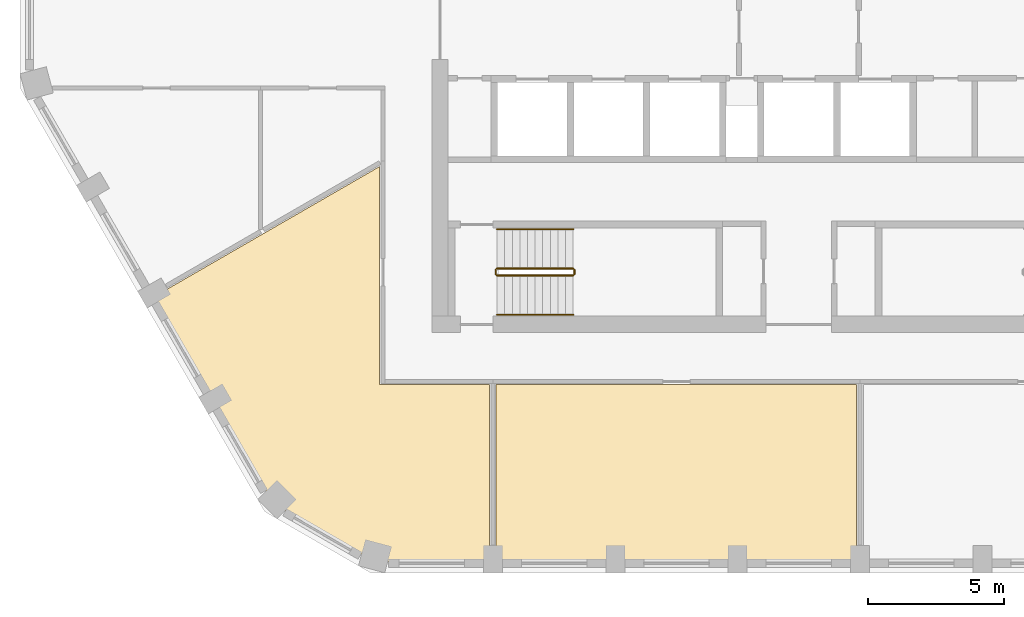
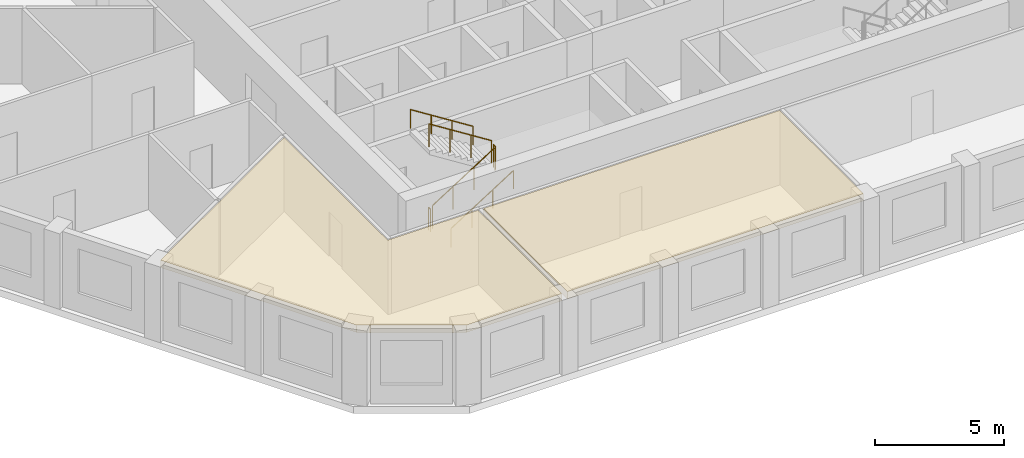
# One storey, part 8 of 11: 6 railings, 2 coverings.
"""IFC4 building model written with IfcOpenShell, lengths in metres."""

from ifc_helpers import new_model, si_unit, direction, frame, origin, origin_2d, place, context, subcontext, project, spatial, polyline, circle, outline, extrude, material, layer, layer_set, type_object, element, save


model = new_model("IFC4")

# Units and contexts
model_context = context("Model", 3, precision=1e-05, world=origin(), true_north=direction((0.0, 1.0)))
body_context = subcontext(model_context, "Body", "Model", "MODEL_VIEW")
ifc_project = project(units=[si_unit("LENGTHUNIT", "METRE"), si_unit("AREAUNIT", "SQUARE_METRE"), si_unit("VOLUMEUNIT", "CUBIC_METRE"), si_unit("PLANEANGLEUNIT", "RADIAN"), si_unit("MASSUNIT", "GRAM", prefix="KILO")], contexts=[model_context])

# Site, building, storey
site_placement = place(None, origin())
site = spatial("IfcSite", under=ifc_project, at=site_placement, CompositionType="ELEMENT")
building_placement = place(site_placement, origin())
building = spatial("IfcBuilding", under=site, at=building_placement, Name="Dhurran Vertical Campus", CompositionType="ELEMENT")
storey_placement = place(building_placement, frame((0.0, 0.0, 270.300048828125)))
storey = spatial("IfcBuildingStorey", under=building, at=storey_placement, Name="L67", CompositionType="ELEMENT", Elevation=270.300048828125)

# Railings
ifc_material_1 = material(Name="Stainless steel balustrade", Category="steel")
railing_type_1 = type_object("IfcRailingType", Name="co-RL-GUARD-1100", PredefinedType="GUARDRAIL", material=ifc_material_1)
railing_1_placement = place(storey_placement, frame((-11.10009765625, -9.14990234375, 0.17724609375)))
element("IfcRailing", 1, at=railing_1_placement, inside=storey, type_object=railing_type_1, Name="L67 ST3 stair guard 1", PredefinedType="GUARDRAIL", context=body_context, shape_type="SweptSolid", body=[
    extrude(circle(Radius=0.02392578125, at=origin_2d()), frame((0.0, 0.0, 1.076171875), z_axis=(0.844908973607, 0.0, 0.534910110503), x_axis=(0.0, 1.0, 0.0)), (0.0, 0.0, 1.0), 3.31396484375),
    extrude(circle(Radius=0.02099609375, at=origin_2d()), origin(), (0.0, 0.0, 1.0), 1.052001953125),
    extrude(circle(Radius=0.02099609375, at=origin_2d()), frame((0.933349609375, 0.0, 0.5908203125)), (0.0, 0.0, 1.0), 1.052001953125),
    extrude(circle(Radius=0.02099609375, at=origin_2d()), frame((1.86669921875, 0.0, 1.181884765625)), (0.0, 0.0, 1.0), 1.052001953125),
    extrude(circle(Radius=0.02099609375, at=origin_2d()), frame((2.800048828125, 0.0, 1.772705078125)), (0.0, 0.0, 1.0), 1.052001953125),
])
railing_2_placement = place(storey_placement, frame((-8.25, -9.10009765625, 1.949951171875)))
element("IfcRailing", 2, at=railing_2_placement, inside=storey, type_object=railing_type_1, Name="L67 ST3 stair guard 2", PredefinedType="GUARDRAIL", context=body_context, shape_type="SweptSolid", body=[
    extrude(circle(Radius=0.02392578125, at=origin_2d()), frame((0.0, 0.0, 1.076171875), z_axis=(0.0, 1.0, 0.0), x_axis=(-1.0, 0.0, 0.0)), (0.0, 0.0, 1.0), 0.150146484375),
    extrude(circle(Radius=0.02099609375, at=origin_2d()), origin(), (0.0, 0.0, 1.0), 1.052001953125),
    extrude(circle(Radius=0.02099609375, at=origin_2d()), frame((0.0, 0.150146484375, 0.0)), (0.0, 0.0, 1.0), 1.052001953125),
])
railing_3_placement = place(storey_placement, frame((-8.300048828125, -8.89990234375, 2.127197265625)))
element("IfcRailing", 3, at=railing_3_placement, inside=storey, type_object=railing_type_1, Name="L67 ST3 stair guard 3", PredefinedType="GUARDRAIL", context=body_context, shape_type="SweptSolid", body=[
    extrude(circle(Radius=0.02392578125, at=origin_2d()), frame((0.0, 0.0, 1.076171875), z_axis=(-0.844908973607, 0.0, 0.534910110503), x_axis=(0.0, -1.0, 0.0)), (0.0, 0.0, 1.0), 3.31396484375),
    extrude(circle(Radius=0.02099609375, at=origin_2d()), origin(), (0.0, 0.0, 1.0), 1.052001953125),
    extrude(circle(Radius=0.02099609375, at=origin_2d()), frame((-0.933349609375, 0.0, 0.5908203125)), (0.0, 0.0, 1.0), 1.052001953125),
    extrude(circle(Radius=0.02099609375, at=origin_2d()), frame((-1.86669921875, 0.0, 1.181884765625)), (0.0, 0.0, 1.0), 1.052001953125),
    extrude(circle(Radius=0.02099609375, at=origin_2d()), frame((-2.800048828125, 0.0, 1.772705078125)), (0.0, 0.0, 1.0), 1.052001953125),
])
railing_4_placement = place(storey_placement, frame((-11.14990234375, -9.10009765625, 0.0)))
element("IfcRailing", 4, at=railing_4_placement, inside=storey, type_object=railing_type_1, Name="L67 ST3 stair guard 4", PredefinedType="GUARDRAIL", context=body_context, shape_type="SweptSolid", body=[
    extrude(circle(Radius=0.02392578125, at=origin_2d()), frame((0.0, 0.0, 1.076171875), z_axis=(0.0, 1.0, 0.0), x_axis=(-1.0, 0.0, 0.0)), (0.0, 0.0, 1.0), 0.150146484375),
    extrude(circle(Radius=0.02099609375, at=origin_2d()), origin(), (0.0, 0.0, 1.0), 1.052001953125),
    extrude(circle(Radius=0.02099609375, at=origin_2d()), frame((0.0, 0.150146484375, 0.0)), (0.0, 0.0, 1.0), 1.052001953125),
])
ifc_material_2 = material(Name="Stainless steel handrail", Category="steel")
railing_type_2 = type_object("IfcRailingType", Name="co-RL-HANDRAIL-900", PredefinedType="HANDRAIL", material=ifc_material_2)
railing_5_placement = place(storey_placement, frame((-11.10009765625, -10.60009765625, 0.17724609375)))
element("IfcRailing", 5, at=railing_5_placement, inside=storey, type_object=railing_type_2, Name="L67 ST3 stair handrail 1", PredefinedType="HANDRAIL", context=body_context, shape_type="SweptSolid", body=[
    extrude(circle(Radius=0.02392578125, at=origin_2d()), frame((0.0, 0.0, 0.8759765625), z_axis=(0.844908973607, 0.0, 0.534910110503), x_axis=(0.0, 1.0, 0.0)), (0.0, 0.0, 1.0), 3.31396484375),
    extrude(circle(Radius=0.02099609375, at=origin_2d()), origin(), (0.0, 0.0, 1.0), 0.851806640625),
    extrude(circle(Radius=0.02099609375, at=origin_2d()), frame((0.933349609375, 0.0, 0.5908203125)), (0.0, 0.0, 1.0), 0.851806640625),
    extrude(circle(Radius=0.02099609375, at=origin_2d()), frame((1.86669921875, 0.0, 1.181884765625)), (0.0, 0.0, 1.0), 0.851806640625),
    extrude(circle(Radius=0.02099609375, at=origin_2d()), frame((2.800048828125, 0.0, 1.772705078125)), (0.0, 0.0, 1.0), 0.851806640625),
])
railing_6_placement = place(storey_placement, frame((-8.300048828125, -7.449951171875, 2.127197265625)))
element("IfcRailing", 6, at=railing_6_placement, inside=storey, type_object=railing_type_2, Name="L67 ST3 stair handrail 2", PredefinedType="HANDRAIL", context=body_context, shape_type="SweptSolid", body=[
    extrude(circle(Radius=0.02392578125, at=origin_2d()), frame((0.0, 0.0, 0.8759765625), z_axis=(-0.844908973607, 0.0, 0.534910110503), x_axis=(0.0, -1.0, 0.0)), (0.0, 0.0, 1.0), 3.31396484375),
    extrude(circle(Radius=0.02099609375, at=origin_2d()), origin(), (0.0, 0.0, 1.0), 0.851806640625),
    extrude(circle(Radius=0.02099609375, at=origin_2d()), frame((-0.933349609375, 0.0, 0.5908203125)), (0.0, 0.0, 1.0), 0.851806640625),
    extrude(circle(Radius=0.02099609375, at=origin_2d()), frame((-1.86669921875, 0.0, 1.181884765625)), (0.0, 0.0, 1.0), 0.851806640625),
    extrude(circle(Radius=0.02099609375, at=origin_2d()), frame((-2.800048828125, 0.0, 1.772705078125)), (0.0, 0.0, 1.0), 0.851806640625),
])

# Coverings
ifc_material_3 = material(Name="Mineral fibre ceiling tiles on suspended grid")
ifc_layer = layer(ifc_material_3, 0.35009765625)
ifc_layer_set = layer_set([ifc_layer], Name="Mineral fibre ceiling tiles on suspended grid")
covering_type = type_object("IfcCoveringType", Name="fl-CE-350 suspended ceiling", PredefinedType="CEILING", material=ifc_layer_set)
covering_1_placement = place(storey_placement, frame((0.0, 0.0, 3.224853515625)))
element("IfcCovering", 7, at=covering_1_placement, inside=storey, type_object=covering_type, Name="Ceiling 67-07", PredefinedType="CEILING", context=body_context, shape_type="SweptSolid", body=[
    extrude(outline(polyline([(-15.637939453125, -19.66796875), (-19.339111328125, -17.531005859375), (-23.722900390625, -9.93798828125), (-15.419921875, -5.14404296875), (-15.419921875, -13.169921875), (-11.3701171875, -13.169921875), (-11.3701171875, -19.66796875), (-15.637939453125, -19.66796875)])), origin(), (0.0, 0.0, 1.0), 0.35009765625),
])
covering_2_placement = place(storey_placement, frame((0.0, 0.0, 3.224853515625)))
element("IfcCovering", 8, at=covering_2_placement, inside=storey, type_object=covering_type, Name="Ceiling 67-09", PredefinedType="CEILING", context=body_context, shape_type="SweptSolid", body=[
    extrude(outline(polyline([(2.1298828125, -19.66796875), (-11.1298828125, -19.66796875), (-11.1298828125, -13.169921875), (2.1298828125, -13.169921875), (2.1298828125, -19.66796875)])), origin(), (0.0, 0.0, 1.0), 0.35009765625),
])

save(model, "model.ifc")
